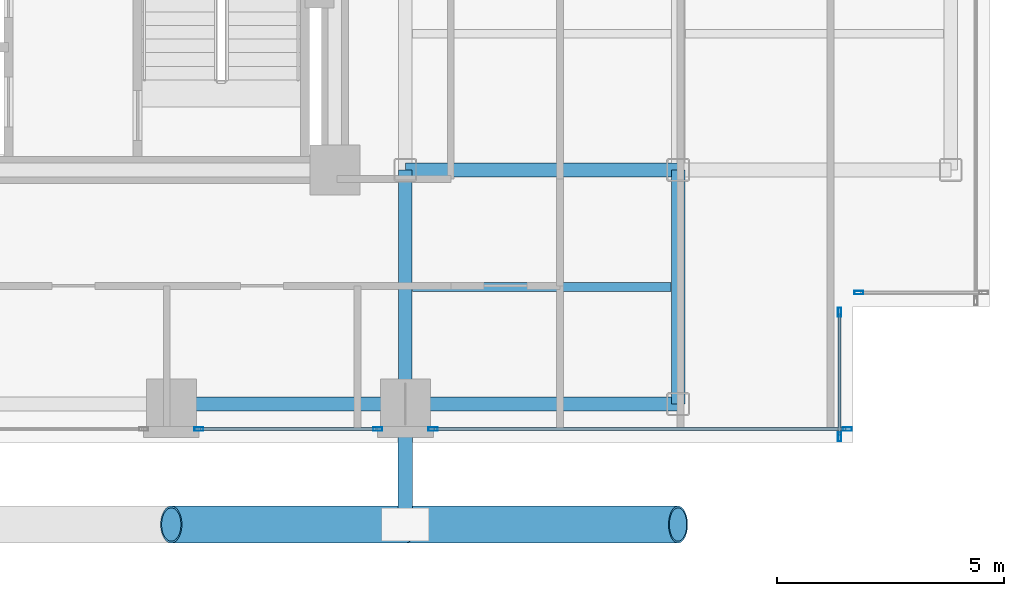
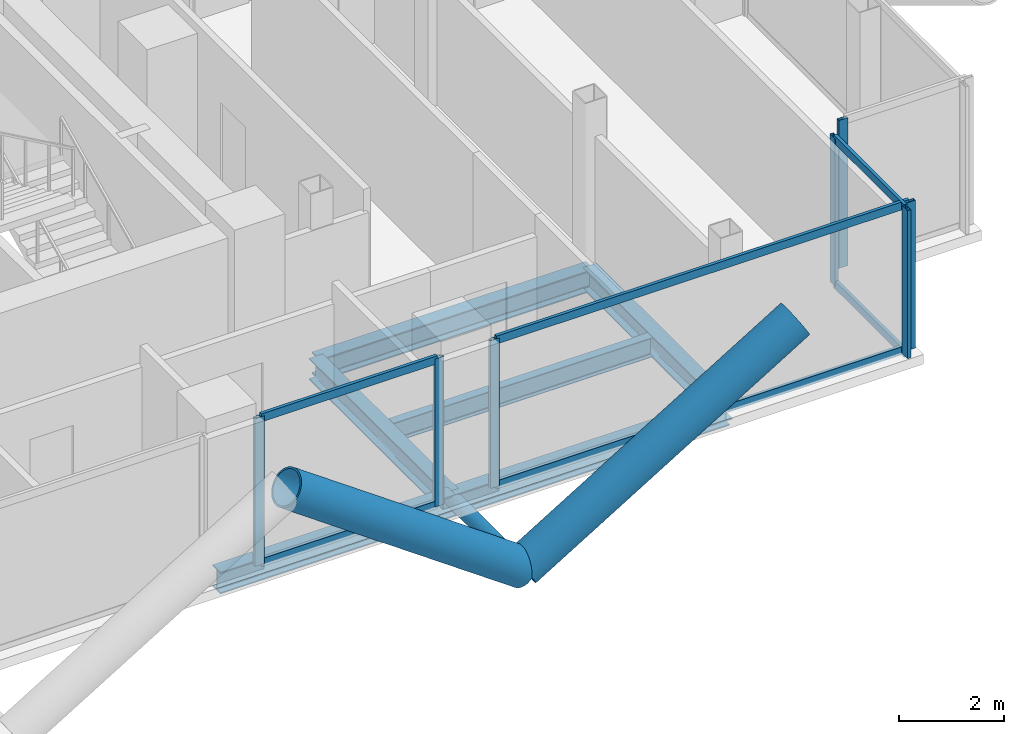
# One storey, part 9 of 24: 16 members, 6 beams, 4 elements without a shape of their own.
"""IFC4 building model written with IfcOpenShell, lengths in metres."""

from ifc_helpers import new_model, si_unit, direction, frame, origin, origin_2d, place, context, subcontext, project, spatial, hollow_rectangle, hollow_circle, i_section, extrude, material, layer, layer_set, material_profile, profile_set, type_object, element, aggregate, save


model = new_model("IFC4")

# Units and contexts
model_context = context("Model", 3, precision=1e-05, world=origin(), true_north=direction((0.0, 1.0)))
body_context = subcontext(model_context, "Body", "Model", "MODEL_VIEW")
ifc_project = project(units=[si_unit("LENGTHUNIT", "METRE"), si_unit("AREAUNIT", "SQUARE_METRE"), si_unit("VOLUMEUNIT", "CUBIC_METRE"), si_unit("PLANEANGLEUNIT", "RADIAN"), si_unit("MASSUNIT", "GRAM", prefix="KILO"), si_unit("THERMODYNAMICTEMPERATUREUNIT", "KELVIN"), si_unit("POWERUNIT", "WATT")], contexts=[model_context])

# Site, building, storey
site_placement = place(None, origin())
site = spatial("IfcSite", under=ifc_project, at=site_placement, CompositionType="ELEMENT")
building_placement = place(site_placement, origin())
building = spatial("IfcBuilding", under=site, at=building_placement, Name="Svarakhadi Broadcast Tower", CompositionType="ELEMENT")
storey_placement = place(building_placement, frame((0.0, 0.0, 160.64990234375)))
storey = spatial("IfcBuildingStorey", under=building, at=storey_placement, Name="L39", CompositionType="ELEMENT", Elevation=160.64990234375)

# Beam
ifc_material_1 = material(Name="Steel S355J2 (IS 2062 E350C)", Category="steel")
ifc_material_profile_1 = material_profile(ifc_material_1, i_section(OverallWidth=0.18994140625, OverallDepth=0.449951171875, WebThickness=0.009521484375, FlangeThickness=0.0146484375, FilletRadius=0.02099609375, at=origin_2d()), Name="NPB 450x190x78")
ifc_profile_set_1 = profile_set([ifc_material_profile_1], Name="Steel S355J2 (IS 2062 E350C)")
beam_type_1 = type_object("IfcBeamType", Name="Beam_NPB450", PredefinedType="BEAM", material=ifc_profile_set_1)
beam_1_placement = place(storey_placement, frame((35.31005859375, 3.425048828125, -0.449951171875), z_axis=(1.0, 0.0, 0.0), x_axis=(0.0, 1.0, 0.0)))
element("IfcBeam", 1, at=beam_1_placement, inside=storey, type_object=beam_type_1, Name="L39 Secondary Composite Beam SB019", PredefinedType="BEAM", context=body_context, shape_type="SweptSolid", body=[
    extrude(i_section(OverallWidth=0.18994140625, OverallDepth=0.449951171875, WebThickness=0.009521484375, FlangeThickness=0.0146484375, FilletRadius=0.02099609375, at=origin_2d()), origin(), (0.0, 0.0, 1.0), 5.679931640625),
])

# Curtain wall, member
ifc_material_2 = material(Name="Anodised Bronze Aluminium AA 6063-T6", Category="aluminium")
ifc_layer = layer(ifc_material_2, 0.199951171875)
ifc_layer_set = layer_set([ifc_layer], Name="Anodised Bronze Aluminium AA 6063-T6")
curtain_wall_type = type_object("IfcCurtainWallType", Name="CW_Sys_03", PredefinedType="NOTDEFINED", material=ifc_layer_set)
curtain_wall_1_placement = place(storey_placement, origin())
curtain_wall_1 = element("IfcCurtainWall", 2, at=curtain_wall_1_placement, inside=storey, type_object=curtain_wall_type, Name="L39 Unitised Facade Curtain Wall 14", PredefinedType="NOTDEFINED")
ifc_material_profile_2 = material_profile(ifc_material_2, hollow_rectangle(XDim=0.074951171875, YDim=0.199951171875, WallThickness=0.005615234375, at=origin_2d()), Name="ALU MULLION 200x75x6")
ifc_profile_set_2 = profile_set([ifc_material_profile_2], Name="Anodised Bronze Aluminium AA 6063-T6")
member_type_1 = type_object("IfcMemberType", Name="CW_Sys_03_Mul", PredefinedType="MULLION", material=ifc_profile_set_2)
member_1_placement = place(storey_placement, frame((45.12744140625, 3.300048828125, 0.0), z_axis=(0.0, 0.0, 1.0), x_axis=(0.0, -1.0, 0.0)))
member_1 = element("IfcMember", 3, at=member_1_placement, type_object=member_type_1, Name="CW-03 mullion 2", PredefinedType="MULLION", context=body_context, shape_type="SweptSolid", body=[
    extrude(hollow_rectangle(XDim=0.074951171875, YDim=0.199951171875, WallThickness=0.005615234375, at=origin_2d()), origin(), (0.0, 0.0, 1.0), 3.425048828125),
])
aggregate(curtain_wall_1, [member_1])

# Curtain wall, members
curtain_wall_2_placement = place(storey_placement, origin())
curtain_wall_2 = element("IfcCurtainWall", 4, at=curtain_wall_2_placement, inside=storey, type_object=curtain_wall_type, Name="L39 Unitised Facade Curtain Wall 15", PredefinedType="NOTDEFINED")
member_2_placement = place(storey_placement, frame((44.699951171875, 2.87255859375, 0.0), z_axis=(0.0, 0.0, 1.0), x_axis=(1.0, 0.0, 0.0)))
member_2 = element("IfcMember", 5, at=member_2_placement, type_object=member_type_1, Name="CW-03 mullion 1", PredefinedType="MULLION", context=body_context, shape_type="SweptSolid", body=[
    extrude(hollow_rectangle(XDim=0.074951171875, YDim=0.199951171875, WallThickness=0.005615234375, at=origin_2d()), origin(), (0.0, 0.0, 1.0), 3.425048828125),
])
member_3_placement = place(storey_placement, frame((44.699951171875, 0.12744140625, 0.0), z_axis=(0.0, 0.0, 1.0), x_axis=(1.0, 0.0, 0.0)))
member_3 = element("IfcMember", 6, at=member_3_placement, type_object=member_type_1, Name="CW-03 mullion 2", PredefinedType="MULLION", context=body_context, shape_type="SweptSolid", body=[
    extrude(hollow_rectangle(XDim=0.074951171875, YDim=0.199951171875, WallThickness=0.005615234375, at=origin_2d()), origin(), (0.0, 0.0, 1.0), 3.425048828125),
])

curtain_wall_3_placement = place(storey_placement, origin())
curtain_wall_3 = element("IfcCurtainWall", 7, at=curtain_wall_3_placement, inside=storey, type_object=curtain_wall_type, Name="L39 South Curtain Wall 16 Bay 1", PredefinedType="NOTDEFINED")
member_4_placement = place(storey_placement, frame((44.87255859375, 0.300048828125, 0.0), z_axis=(0.0, 0.0, 1.0), x_axis=(0.0, -1.0, 0.0)))
member_4 = element("IfcMember", 8, at=member_4_placement, type_object=member_type_1, Name="CW-03 mullion 1", PredefinedType="MULLION", context=body_context, shape_type="SweptSolid", body=[
    extrude(hollow_rectangle(XDim=0.074951171875, YDim=0.199951171875, WallThickness=0.005615234375, at=origin_2d()), origin(), (0.0, 0.0, 1.0), 3.425048828125),
])
member_5_placement = place(storey_placement, frame((35.757568359375, 0.300048828125, 0.0), z_axis=(0.0, 0.0, 1.0), x_axis=(0.0, -1.0, 0.0)))
member_5 = element("IfcMember", 9, at=member_5_placement, type_object=member_type_1, Name="CW-03 mullion 2", PredefinedType="MULLION", context=body_context, shape_type="SweptSolid", body=[
    extrude(hollow_rectangle(XDim=0.074951171875, YDim=0.199951171875, WallThickness=0.005615234375, at=origin_2d()), origin(), (0.0, 0.0, 1.0), 3.425048828125),
])

curtain_wall_4_placement = place(storey_placement, origin())
curtain_wall_4 = element("IfcCurtainWall", 10, at=curtain_wall_4_placement, inside=storey, type_object=curtain_wall_type, Name="L39 South Curtain Wall 16 Bay 2", PredefinedType="NOTDEFINED")
member_6_placement = place(storey_placement, frame((34.54248046875, 0.300048828125, 0.0), z_axis=(0.0, 0.0, 1.0), x_axis=(0.0, -1.0, 0.0)))
member_6 = element("IfcMember", 11, at=member_6_placement, type_object=member_type_1, Name="CW-03 mullion 1", PredefinedType="MULLION", context=body_context, shape_type="SweptSolid", body=[
    extrude(hollow_rectangle(XDim=0.074951171875, YDim=0.199951171875, WallThickness=0.005615234375, at=origin_2d()), origin(), (0.0, 0.0, 1.0), 3.425048828125),
])
member_7_placement = place(storey_placement, frame((30.607421875, 0.300048828125, 0.0), z_axis=(0.0, 0.0, 1.0), x_axis=(0.0, -1.0, 0.0)))
member_7 = element("IfcMember", 12, at=member_7_placement, type_object=member_type_1, Name="CW-03 mullion 2", PredefinedType="MULLION", context=body_context, shape_type="SweptSolid", body=[
    extrude(hollow_rectangle(XDim=0.074951171875, YDim=0.199951171875, WallThickness=0.005615234375, at=origin_2d()), origin(), (0.0, 0.0, 1.0), 3.425048828125),
])

# Member
ifc_material_profile_3 = material_profile(ifc_material_2, hollow_rectangle(XDim=0.070068359375, YDim=0.18505859375, WallThickness=0.0048828125, at=origin_2d()), Name="ALU TRANSOM 185x70x5")
ifc_profile_set_3 = profile_set([ifc_material_profile_3], Name="Anodised Bronze Aluminium AA 6063-T6")
member_type_2 = type_object("IfcMemberType", Name="CW_Sys_03_Trn", PredefinedType="USERDEFINED", material=ifc_profile_set_3)
member_8_placement = place(storey_placement, frame((44.699951171875, 2.8349609375, 0.03515625), z_axis=(0.0, -1.0, 0.0), x_axis=(1.0, 0.0, 0.0)))
member_8 = element("IfcMember", 13, at=member_8_placement, type_object=member_type_2, Name="CW-03 transom 1.1", ObjectType="TRANSOM", PredefinedType="USERDEFINED", context=body_context, shape_type="SweptSolid", body=[
    extrude(hollow_rectangle(XDim=0.070068359375, YDim=0.18505859375, WallThickness=0.0048828125, at=origin_2d()), origin(), (0.0, 0.0, 1.0), 2.669921875),
])

member_9_placement = place(storey_placement, frame((44.699951171875, 2.8349609375, 3.39013671875), z_axis=(0.0, -1.0, 0.0), x_axis=(1.0, 0.0, 0.0)))
member_9 = element("IfcMember", 14, at=member_9_placement, type_object=member_type_2, Name="CW-03 transom 1.2", ObjectType="TRANSOM", PredefinedType="USERDEFINED", context=body_context, shape_type="SweptSolid", body=[
    extrude(hollow_rectangle(XDim=0.070068359375, YDim=0.18505859375, WallThickness=0.0048828125, at=origin_2d()), origin(), (0.0, 0.0, 1.0), 2.669921875),
])

aggregate(curtain_wall_2, [member_2, member_3, member_8, member_9])

member_10_placement = place(storey_placement, frame((44.8349609375, 0.300048828125, 0.03515625), z_axis=(-1.0, 0.0, 0.0), x_axis=(0.0, -1.0, 0.0)))
member_10 = element("IfcMember", 15, at=member_10_placement, type_object=member_type_2, Name="CW-03 transom 1.1", ObjectType="TRANSOM", PredefinedType="USERDEFINED", context=body_context, shape_type="SweptSolid", body=[
    extrude(hollow_rectangle(XDim=0.070068359375, YDim=0.18505859375, WallThickness=0.0048828125, at=origin_2d()), origin(), (0.0, 0.0, 1.0), 9.0400390625),
])

member_11_placement = place(storey_placement, frame((44.8349609375, 0.300048828125, 3.39013671875), z_axis=(-1.0, 0.0, 0.0), x_axis=(0.0, -1.0, 0.0)))
member_11 = element("IfcMember", 16, at=member_11_placement, type_object=member_type_2, Name="CW-03 transom 1.2", ObjectType="TRANSOM", PredefinedType="USERDEFINED", context=body_context, shape_type="SweptSolid", body=[
    extrude(hollow_rectangle(XDim=0.070068359375, YDim=0.18505859375, WallThickness=0.0048828125, at=origin_2d()), origin(), (0.0, 0.0, 1.0), 9.0400390625),
])

aggregate(curtain_wall_3, [member_4, member_5, member_10, member_11])

member_12_placement = place(storey_placement, frame((34.5048828125, 0.300048828125, 0.03515625), z_axis=(-1.0, 0.0, 0.0), x_axis=(0.0, -1.0, 0.0)))
member_12 = element("IfcMember", 17, at=member_12_placement, type_object=member_type_2, Name="CW-03 transom 1.1", ObjectType="TRANSOM", PredefinedType="USERDEFINED", context=body_context, shape_type="SweptSolid", body=[
    extrude(hollow_rectangle(XDim=0.070068359375, YDim=0.18505859375, WallThickness=0.0048828125, at=origin_2d()), origin(), (0.0, 0.0, 1.0), 3.85986328125),
])

member_13_placement = place(storey_placement, frame((34.5048828125, 0.300048828125, 3.39013671875), z_axis=(-1.0, 0.0, 0.0), x_axis=(0.0, -1.0, 0.0)))
member_13 = element("IfcMember", 18, at=member_13_placement, type_object=member_type_2, Name="CW-03 transom 1.2", ObjectType="TRANSOM", PredefinedType="USERDEFINED", context=body_context, shape_type="SweptSolid", body=[
    extrude(hollow_rectangle(XDim=0.070068359375, YDim=0.18505859375, WallThickness=0.0048828125, at=origin_2d()), origin(), (0.0, 0.0, 1.0), 3.85986328125),
])

aggregate(curtain_wall_4, [member_6, member_7, member_12, member_13])

# Members
ifc_material_3 = material(Name="Steel S460ML (IS 2062 E450BR)", Category="steel")
ifc_material_profile_4 = material_profile(ifc_material_3, hollow_circle(Radius=0.406494140625, WallThickness=0.0400390625, at=origin_2d()), Name="CHS 813x40")
ifc_profile_set_4 = profile_set([ifc_material_profile_4], Name="Steel S460ML (IS 2062 E450BR)")
member_type_3 = type_object("IfcMemberType", Name="Exo_Brace_CHS813", PredefinedType="BRACE", material=ifc_profile_set_4)
member_14_placement = place(storey_placement, frame((35.14990234375, -1.800048828125, -0.386962890625), z_axis=(-0.81585265658, 0.0, 0.578259840169), x_axis=(0.0, -1.0, 0.0)))
element("IfcMember", 19, at=member_14_placement, inside=storey, type_object=member_type_3, Name="L39 Exposed Bronze Exoskeleton Diagonal S02", PredefinedType="BRACE", context=body_context, shape_type="SweptSolid", body=[
    extrude(hollow_circle(Radius=0.406494140625, WallThickness=0.0400390625, at=origin_2d()), origin(), (0.0, 0.0, 1.0), 6.312255859375),
])
member_15_placement = place(storey_placement, frame((35.14990234375, -1.800048828125, -0.386962890625), z_axis=(0.854326743865, 0.0, 0.519736293438), x_axis=(0.0, 1.0, 0.0)))
element("IfcMember", 20, at=member_15_placement, inside=storey, type_object=member_type_3, Name="L39 Exposed Bronze Exoskeleton Diagonal S03", PredefinedType="BRACE", context=body_context, shape_type="SweptSolid", body=[
    extrude(hollow_circle(Radius=0.406494140625, WallThickness=0.0400390625, at=origin_2d()), origin(), (0.0, 0.0, 1.0), 7.023193359375),
])
ifc_material_profile_5 = material_profile(ifc_material_3, hollow_circle(Radius=0.161865234375, WallThickness=0.01611328125, at=origin_2d()), Name="CHS 323.9x16")
ifc_profile_set_5 = profile_set([ifc_material_profile_5], Name="Steel S460ML (IS 2062 E450BR)")
member_type_4 = type_object("IfcMemberType", Name="Exo_Radial_Strut_Z2", PredefinedType="STRUT", material=ifc_profile_set_5)
member_16_placement = place(storey_placement, frame((35.14990234375, -1.800048828125, -0.386962890625), z_axis=(0.0, 1.0, 0.0), x_axis=(-1.0, 0.0, 0.0)))
element("IfcMember", 21, at=member_16_placement, inside=storey, type_object=member_type_4, Name="L39 Exoskeleton Radial Tie Strut S02", PredefinedType="STRUT", context=body_context, shape_type="SweptSolid", body=[
    extrude(hollow_circle(Radius=0.161865234375, WallThickness=0.01611328125, at=origin_2d()), origin(), (0.0, 0.0, 1.0), 2.650146484375),
])

# Beams
ifc_material_profile_6 = material_profile(ifc_material_1, i_section(OverallWidth=0.300048828125, OverallDepth=0.5, WebThickness=0.014404296875, FlangeThickness=0.028076171875, FilletRadius=0.027099609375, at=origin_2d()), Name="WPB 500x300x187")
ifc_profile_set_6 = profile_set([ifc_material_profile_6], Name="Steel S355J2 (IS 2062 E350C)")
beam_type_2 = type_object("IfcBeamType", Name="Girder_WPB500", PredefinedType="USERDEFINED", material=ifc_profile_set_6)
beam_2_placement = place(storey_placement, frame((30.0, 0.85009765625, -0.474853515625), z_axis=(1.0, 0.0, 0.0), x_axis=(0.0, 1.0, 0.0)))
element("IfcBeam", 22, at=beam_2_placement, inside=storey, type_object=beam_type_2, Name="L39 Primary E-W Girder G008", ObjectType="GIRDER", PredefinedType="USERDEFINED", context=body_context, shape_type="SweptSolid", body=[
    extrude(i_section(OverallWidth=0.300048828125, OverallDepth=0.5, WebThickness=0.014404296875, FlangeThickness=0.028076171875, FilletRadius=0.027099609375, at=origin_2d()), origin(), (0.0, 0.0, 1.0), 5.14990234375),
])
for number, where, z_axis, x_axis, name in (
    (23, (35.14990234375, 0.85009765625, -0.474853515625), (1.0, 0.0, 0.0), (0.0, 1.0, 0.0), "L39 Primary E-W Girder G009"),
    (24, (35.14990234375, 6.0, -0.474853515625), (1.0, 0.0, 0.0), (0.0, 1.0, 0.0), "L39 Primary E-W Girder G015"),
):
    element("IfcBeam", number, at=place(storey_placement, frame(where, z_axis=z_axis, x_axis=x_axis)), inside=storey, type_object=beam_type_2, Name=name, ObjectType="GIRDER", PredefinedType="USERDEFINED", context=body_context, shape_type="SweptSolid", body=[
        extrude(i_section(OverallWidth=0.300048828125, OverallDepth=0.5, WebThickness=0.014404296875, FlangeThickness=0.028076171875, FilletRadius=0.027099609375, at=origin_2d()), origin(), (0.0, 0.0, 1.0), 6.0),
    ])
for number, where, z_axis, x_axis, name in (
    (25, (35.14990234375, 0.85009765625, -0.474853515625), (0.0, 1.0, 0.0), (-1.0, 0.0, 0.0), "L39 Primary N-S Girder G067"),
    (26, (41.14990234375, 0.85009765625, -0.474853515625), (0.0, 1.0, 0.0), (-1.0, 0.0, 0.0), "L39 Primary N-S Girder G070"),
):
    element("IfcBeam", number, at=place(storey_placement, frame(where, z_axis=z_axis, x_axis=x_axis)), inside=storey, type_object=beam_type_2, Name=name, ObjectType="GIRDER", PredefinedType="USERDEFINED", context=body_context, shape_type="SweptSolid", body=[
        extrude(i_section(OverallWidth=0.300048828125, OverallDepth=0.5, WebThickness=0.014404296875, FlangeThickness=0.028076171875, FilletRadius=0.027099609375, at=origin_2d()), origin(), (0.0, 0.0, 1.0), 5.14990234375),
    ])

save(model, "model.ifc")
